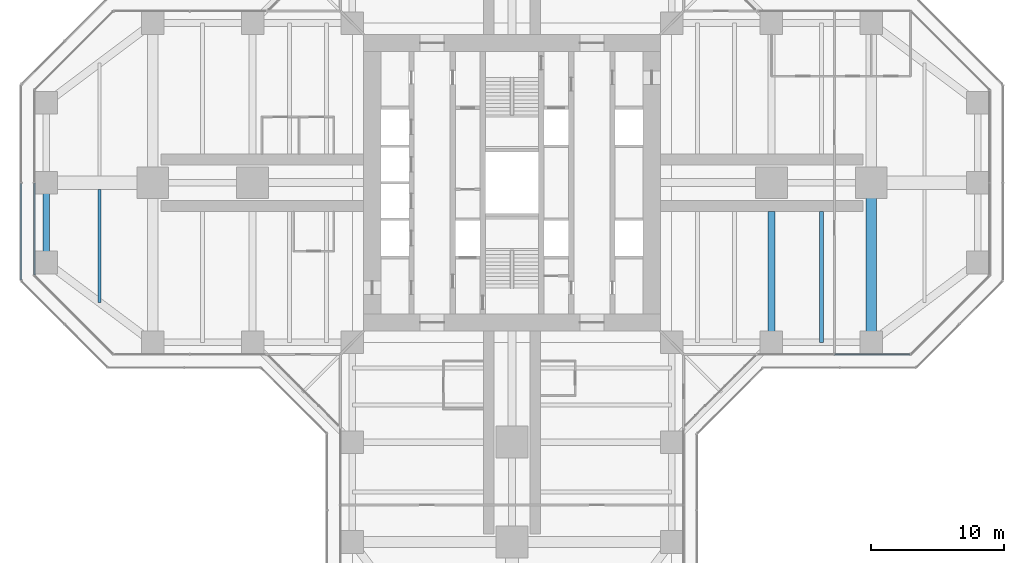
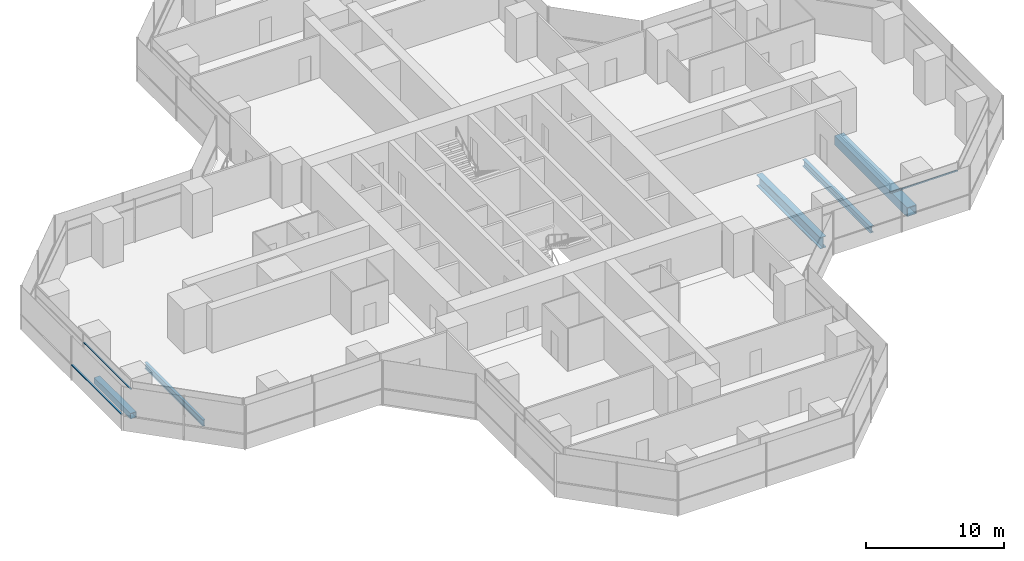
# One storey, part 7 of 22: 5 beams, 3 members, 3 elements without a shape of their own.
"""IFC4 building model written with IfcOpenShell, lengths in metres."""

from ifc_helpers import new_model, si_unit, direction, frame, origin, origin_2d, place, context, subcontext, project, spatial, rectangle, hollow_rectangle, i_section, extrude, material, material_profile, profile_set, type_object, element, aggregate, save


model = new_model("IFC4")

# Units and contexts
model_context = context("Model", 3, precision=1e-05, world=origin(), true_north=direction((0.0, 1.0)))
body_context = subcontext(model_context, "Body", "Model", "MODEL_VIEW")
ifc_project = project(units=[si_unit("LENGTHUNIT", "METRE"), si_unit("AREAUNIT", "SQUARE_METRE"), si_unit("VOLUMEUNIT", "CUBIC_METRE"), si_unit("PLANEANGLEUNIT", "RADIAN"), si_unit("MASSUNIT", "GRAM", prefix="KILO")], contexts=[model_context])

# Site, building, storey
site_placement = place(None, origin())
site = spatial("IfcSite", under=ifc_project, at=site_placement, CompositionType="ELEMENT")
building_placement = place(site_placement, origin())
building = spatial("IfcBuilding", under=site, at=building_placement, Name="Mizan Broadcast Tower", CompositionType="ELEMENT")
storey_placement = place(building_placement, frame((0.0, 0.0, 90.300048828125)))
storey = spatial("IfcBuildingStorey", under=building, at=storey_placement, Name="L19", CompositionType="ELEMENT", Elevation=90.300048828125)

# Beams
ifc_material_1 = material(Name="Steel S355", Category="steel")
ifc_material_profile_1 = material_profile(ifc_material_1, hollow_rectangle(XDim=0.5, YDim=0.5, WallThickness=0.030029296875, at=origin_2d()), Name="BOX 500x500x30")
ifc_profile_set_1 = profile_set([ifc_material_profile_1], Name="Steel S355")
beam_type_1 = type_object("IfcBeamType", Name="EDGE BEAM BOX 500x500x30", PredefinedType="SPANDREL", material=ifc_profile_set_1)
beam_1_placement = place(storey_placement, frame((-35.0, -5.639892578125, -0.380126953125), z_axis=(0.0, 1.0, 0.0), x_axis=(-1.0, 0.0, 0.0)))
element("IfcBeam", 1, at=beam_1_placement, inside=storey, type_object=beam_type_1, Name="Edge beam BOX 500x500x30 L19 west arm", PredefinedType="SPANDREL", context=body_context, shape_type="SweptSolid", body=[
    extrude(hollow_rectangle(XDim=0.5, YDim=0.5, WallThickness=0.030029296875, at=origin_2d()), origin(), (0.0, 0.0, 1.0), 5.27978515625),
])
ifc_material_2 = material(Name="Steel S460", Category="steel")
ifc_material_profile_2 = material_profile(ifc_material_2, hollow_rectangle(XDim=0.800048828125, YDim=0.800048828125, WallThickness=0.050048828125, at=origin_2d()), Name="BOX 800x800x50")
ifc_profile_set_2 = profile_set([ifc_material_profile_2], Name="Steel S460")
beam_type_2 = type_object("IfcBeamType", Name="GIRDER BOX 800x800x50", PredefinedType="BEAM", material=ifc_profile_set_2)
beam_2_placement = place(storey_placement, frame((27.0, -11.280029296875, -0.530029296875), z_axis=(0.0, 1.0, 0.0), x_axis=(-1.0, 0.0, 0.0)))
element("IfcBeam", 2, at=beam_2_placement, inside=storey, type_object=beam_type_2, Name="Girder BOX 800x800x50 L19 east arm", PredefinedType="BEAM", context=body_context, shape_type="SweptSolid", body=[
    extrude(hollow_rectangle(XDim=0.800048828125, YDim=0.800048828125, WallThickness=0.050048828125, at=origin_2d()), origin(), (0.0, 0.0, 1.0), 10.56005859375),
])
ifc_material_3 = material(Name="Steel S460", Category="steel")
ifc_material_profile_3 = material_profile(ifc_material_3, i_section(OverallWidth=0.5, OverallDepth=1.0, WebThickness=0.02490234375, FlangeThickness=0.050048828125, at=origin_2d()), Name="WPG 1000x500")
ifc_profile_set_3 = profile_set([ifc_material_profile_3], Name="Steel S460")
beam_type_3 = type_object("IfcBeamType", Name="GIRDER WPG 1000x500", PredefinedType="BEAM", material=ifc_profile_set_3)
beam_3_placement = place(storey_placement, frame((19.5, -11.408935546875, -0.630126953125), z_axis=(0.0, 1.0, 0.0), x_axis=(-1.0, 0.0, 0.0)))
element("IfcBeam", 3, at=beam_3_placement, inside=storey, type_object=beam_type_3, Name="Girder WPG 1000x500 L19 east arm", PredefinedType="BEAM", context=body_context, shape_type="SweptSolid", body=[
    extrude(i_section(OverallWidth=0.5, OverallDepth=1.0, WebThickness=0.02490234375, FlangeThickness=0.050048828125, at=origin_2d()), origin(), (0.0, 0.0, 1.0), 9.259033203125),
])

# Curtain wall, member
ifc_material_4 = material(Name="Aluminium framed glazing", Category="aluminium")
curtain_wall_type_1 = type_object("IfcCurtainWallType", Name="INNER SKIN LOW ZONE", PredefinedType="USERDEFINED", material=ifc_material_4)
curtain_wall_1_placement = place(storey_placement, origin())
curtain_wall_1 = element("IfcCurtainWall", 4, at=curtain_wall_1_placement, inside=storey, type_object=curtain_wall_type_1, Name="Inner skin low zone L19 E side", ObjectType="INNER SKIN LOW ZONE", PredefinedType="USERDEFINED")
ifc_material_5 = material(Name="Aluminium, pale anodised", Category="aluminium")
ifc_material_profile_4 = material_profile(ifc_material_5, rectangle(XDim=0.1201171875, YDim=0.06005859375, at=origin_2d()), Name="TRANSOM 120x60")
ifc_profile_set_4 = profile_set([ifc_material_profile_4], Name="Aluminium, pale anodised")
member_type_1 = type_object("IfcMemberType", Name="INNER SKIN TRANSOM 60x120", PredefinedType="USERDEFINED", material=ifc_profile_set_4)
member_1_placement = place(storey_placement, frame((24.25927734375, -12.89990234375, 3.030029296875), z_axis=(1.0, 0.0, 0.0), x_axis=(0.0, 1.0, 0.0)))
member_1 = element("IfcMember", 5, at=member_1_placement, type_object=member_type_1, Name="Inner skin low zone L19 E side transom 2.1", ObjectType="TRANSOM", PredefinedType="USERDEFINED", context=body_context, shape_type="SweptSolid", body=[
    extrude(rectangle(XDim=0.1201171875, YDim=0.06005859375, at=origin_2d()), origin(), (0.0, 0.0, 1.0), 5.639404296875),
])
aggregate(curtain_wall_1, [member_1])

curtain_wall_2_placement = place(storey_placement, origin())
curtain_wall_2 = element("IfcCurtainWall", 6, at=curtain_wall_2_placement, inside=storey, type_object=curtain_wall_type_1, Name="Inner skin low zone L19 W end", ObjectType="INNER SKIN LOW ZONE", PredefinedType="USERDEFINED")
member_2_placement = place(storey_placement, frame((-35.89990234375, -0.030029296875, 3.030029296875), z_axis=(0.0, -1.0, 0.0), x_axis=(1.0, 0.0, 0.0)))
member_2 = element("IfcMember", 7, at=member_2_placement, type_object=member_type_1, Name="Inner skin low zone L19 W end transom 2.1", ObjectType="TRANSOM", PredefinedType="USERDEFINED", context=body_context, shape_type="SweptSolid", body=[
    extrude(rectangle(XDim=0.1201171875, YDim=0.06005859375, at=origin_2d()), origin(), (0.0, 0.0, 1.0), 6.86865234375),
])
aggregate(curtain_wall_2, [member_2])

ifc_material_6 = material(Name="Aluminium framed glazing", Category="aluminium")
curtain_wall_type_2 = type_object("IfcCurtainWallType", Name="OUTER SKIN", PredefinedType="USERDEFINED", material=ifc_material_6)
curtain_wall_3_placement = place(storey_placement, origin())
curtain_wall_3 = element("IfcCurtainWall", 8, at=curtain_wall_3_placement, inside=storey, type_object=curtain_wall_type_2, Name="Outer skin L19 W end", ObjectType="OUTER SKIN", PredefinedType="USERDEFINED")
ifc_material_7 = material(Name="Aluminium, pale anodised", Category="aluminium")
ifc_material_profile_5 = material_profile(ifc_material_7, rectangle(XDim=0.159912109375, YDim=0.06005859375, at=origin_2d()), Name="TRANSOM 160x60")
ifc_profile_set_5 = profile_set([ifc_material_profile_5], Name="Aluminium, pale anodised")
member_type_2 = type_object("IfcMemberType", Name="OUTER SKIN TRANSOM 60x160", PredefinedType="USERDEFINED", material=ifc_profile_set_5)
member_3_placement = place(storey_placement, frame((-36.89990234375, -0.0400390625, 1.39990234375), z_axis=(0.0, -1.0, 0.0), x_axis=(1.0, 0.0, 0.0)))
member_3 = element("IfcMember", 9, at=member_3_placement, type_object=member_type_2, Name="Outer skin L19 W end transom 2.1", ObjectType="TRANSOM", PredefinedType="USERDEFINED", context=body_context, shape_type="SweptSolid", body=[
    extrude(rectangle(XDim=0.159912109375, YDim=0.06005859375, at=origin_2d()), origin(), (0.0, 0.0, 1.0), 7.252685546875),
])
aggregate(curtain_wall_3, [member_3])

# Beams
ifc_material_8 = material(Name="Steel S355", Category="steel")
ifc_material_profile_6 = material_profile(ifc_material_8, i_section(OverallWidth=0.300048828125, OverallDepth=0.590087890625, WebThickness=0.012939453125, FlangeThickness=0.02490234375, FilletRadius=0.027099609375, at=origin_2d()), Name="HEA 600")
ifc_profile_set_6 = profile_set([ifc_material_profile_6], Name="Steel S355")
beam_type_4 = type_object("IfcBeamType", Name="SECONDARY BEAM HEA 600", PredefinedType="JOIST", material=ifc_profile_set_6)
beam_4_placement = place(storey_placement, frame((23.25, -12.0, -0.425048828125), z_axis=(0.0, 1.0, 0.0), x_axis=(-1.0, 0.0, 0.0)))
element("IfcBeam", 10, at=beam_4_placement, inside=storey, type_object=beam_type_4, Name="Secondary beam HEA 600 L19 east arm", PredefinedType="JOIST", context=body_context, shape_type="SweptSolid", body=[
    extrude(i_section(OverallWidth=0.300048828125, OverallDepth=0.590087890625, WebThickness=0.012939453125, FlangeThickness=0.02490234375, FilletRadius=0.027099609375, at=origin_2d()), origin(), (0.0, 0.0, 1.0), 9.85009765625),
])
ifc_material_9 = material(Name="Steel S355", Category="steel")
ifc_material_profile_7 = material_profile(ifc_material_9, i_section(OverallWidth=0.2099609375, OverallDepth=0.550048828125, WebThickness=0.010986328125, FlangeThickness=0.01708984375, FilletRadius=0.02392578125, at=origin_2d()), Name="IPE 550")
ifc_profile_set_7 = profile_set([ifc_material_profile_7], Name="Steel S355")
beam_type_5 = type_object("IfcBeamType", Name="SECONDARY BEAM IPE 550", PredefinedType="JOIST", material=ifc_profile_set_7)
beam_5_placement = place(storey_placement, frame((-31.0, -9.0, -0.405029296875), z_axis=(0.0, 1.0, 0.0), x_axis=(-1.0, 0.0, 0.0)))
element("IfcBeam", 11, at=beam_5_placement, inside=storey, type_object=beam_type_5, Name="Secondary beam IPE 550 L19 west arm", PredefinedType="JOIST", context=body_context, shape_type="SweptSolid", body=[
    extrude(i_section(OverallWidth=0.2099609375, OverallDepth=0.550048828125, WebThickness=0.010986328125, FlangeThickness=0.01708984375, FilletRadius=0.02392578125, at=origin_2d()), origin(), (0.0, 0.0, 1.0), 8.5),
])

save(model, "model.ifc")
